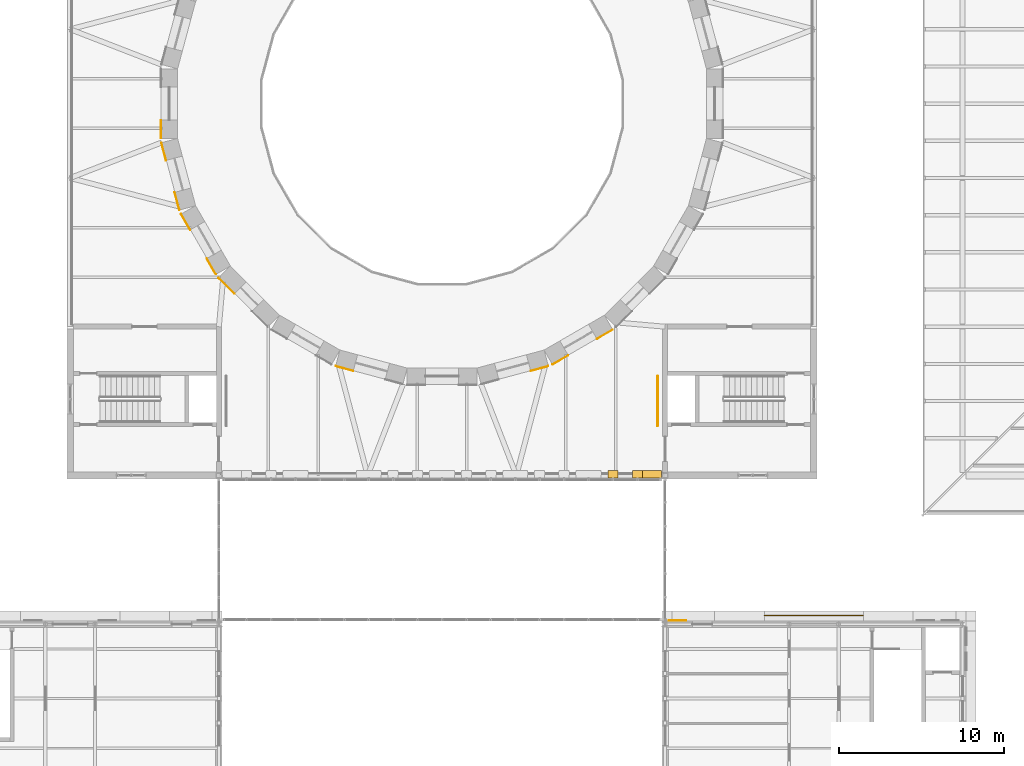
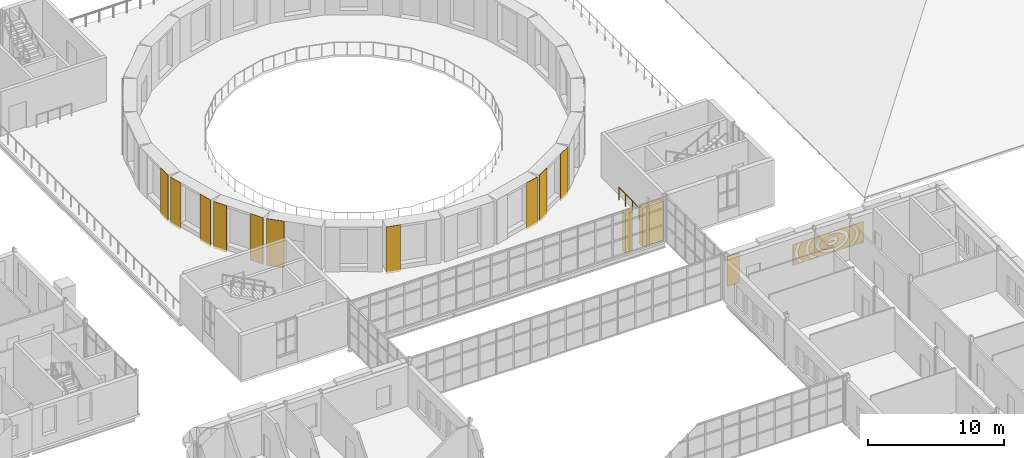
# One storey, part 147 of 154: 15 coverings, 1 railing.
"""IFC4 building model written with IfcOpenShell, lengths in metres."""

import ifcopenshell
import ifcopenshell.guid

model = None  # the IFC model being written
_history = None  # IfcOwnerHistory: only IFC2X3 demands one
_inside = {}  # id of a spatial element -> (the spatial element, [elements in it])
_under = {}  # id of a project, library or spatial element -> (it, [spatial elements below it])
_declared = {}  # id of a project -> (the project, [libraries it declares])
_typed = {}  # id of a type object -> (the type object, [elements of that type])
_made_of = {}  # id of a material, layer set ... -> (it, [elements and type objects made of it])


def new_model(schema):
    """Start an empty IFC model of exactly this schema.

    Asked for "IFC4X3", IfcOpenShell would pick the latest addendum, in which some entities
    have other attributes; the version numbers below select the first issue.
    IFC2X3 requires an IfcOwnerHistory on every rooted entity: one is made here for all.
    """
    global model, _history
    if schema == "IFC4X3":
        model = ifcopenshell.file(schema_version=(4, 3, 0, 0))
    else:
        model = ifcopenshell.file(schema=schema)
    _inside.clear()
    _under.clear()
    _declared.clear()
    _typed.clear()
    _made_of.clear()
    _history = None
    if model.schema == "IFC2X3":
        org = make("IfcOrganization", Name="unknown")
        user = make(
            "IfcPersonAndOrganization",
            ThePerson=make("IfcPerson", FamilyName="unknown"),
            TheOrganization=org,
        )
        app = make(
            "IfcApplication",
            ApplicationDeveloper=org,
            Version="unknown",
            ApplicationFullName="unknown",
            ApplicationIdentifier="unknown",
        )
        _history = make(
            "IfcOwnerHistory",
            OwningUser=user,
            OwningApplication=app,
            ChangeAction="ADDED",
            CreationDate=0,
        )
    return model


def make(cls, **values):
    """One entity of the class cls with the attributes given. An attribute that is None is left unset."""
    return model.create_entity(
        cls, **{name: value for name, value in values.items() if value is not None}
    )


def rooted(cls, **values):
    """An entity with a GlobalId (a new one), such as an element, a storey or a relation."""
    return make(cls, GlobalId=ifcopenshell.guid.new(), OwnerHistory=_history, **values)


def si_unit(unit_type, name, prefix=None):
    """IfcSIUnit, for example si_unit("LENGTHUNIT", "METRE", prefix="MILLI")."""
    return make("IfcSIUnit", UnitType=unit_type, Prefix=prefix, Name=name)


def assignment(units):
    """IfcUnitAssignment: the units of a project."""
    return None if units is None else make("IfcUnitAssignment", Units=units)


def point(xyz):
    """IfcCartesianPoint."""
    return None if xyz is None else make("IfcCartesianPoint", Coordinates=xyz)


def direction(xyz):
    """IfcDirection."""
    return None if xyz is None else make("IfcDirection", DirectionRatios=xyz)


def frame(location, z_axis=None, x_axis=None):
    """IfcAxis2Placement3D, a coordinate frame: its origin and axes. An axis left out is left unset."""
    return make(
        "IfcAxis2Placement3D",
        Location=point(location),
        Axis=direction(z_axis),
        RefDirection=direction(x_axis),
    )


def frame_2d(location, x_axis=None):
    """IfcAxis2Placement2D, a coordinate frame in the plane: its origin and x axis."""
    return make(
        "IfcAxis2Placement2D", Location=point(location), RefDirection=direction(x_axis)
    )


def origin():
    """The frame at (0, 0, 0) with its axes left unset."""
    return frame((0.0, 0.0, 0.0))


def origin_2d():
    """The frame at (0, 0) in the plane with its x axis left unset."""
    return frame_2d((0.0, 0.0))


def place(relative_to, where):
    """IfcLocalPlacement: puts the frame where relative to a parent placement (None: the world)."""
    return make(
        "IfcLocalPlacement", PlacementRelTo=relative_to, RelativePlacement=where
    )


def context(
    kind, dimensions, precision=None, world=None, true_north=None, identifier=None
):
    """IfcGeometricRepresentationContext, for example the 3D "Model" context."""
    return make(
        "IfcGeometricRepresentationContext",
        ContextIdentifier=identifier,
        ContextType=kind,
        CoordinateSpaceDimension=dimensions,
        Precision=precision,
        WorldCoordinateSystem=world,
        TrueNorth=true_north,
    )


def subcontext(parent, identifier, kind, view, scale=None):
    """IfcGeometricRepresentationSubContext, for example "Body" below "Model"."""
    return make(
        "IfcGeometricRepresentationSubContext",
        ContextIdentifier=identifier,
        ContextType=kind,
        ParentContext=parent,
        TargetScale=scale,
        TargetView=view,
    )


def project(units=None, contexts=None):
    """IfcProject with its units and contexts."""
    return rooted(
        "IfcProject",
        Name="project",
        RepresentationContexts=contexts,
        UnitsInContext=assignment(units),
    )


def spatial(cls, under=None, at=None, **own):
    """A site, building, storey or space (cls), placed at a placement, below another one or the project."""
    s = rooted(cls, ObjectPlacement=at, **own)
    if under is not None:
        _under.setdefault(under.id(), (under, []))[1].append(s)
    return s


def polyline(points):
    """IfcPolyline through the points."""
    return make("IfcPolyline", Points=[point(p) for p in points])


def profile(cls, at=None, kind="AREA", **sizes):
    """A parametric profile (cls). Its sizes go by their IFC names, for example OverallWidth=200.0."""
    return make(cls, ProfileType=kind, Position=at, **sizes)


def rectangle(**sizes):
    """IfcRectangleProfileDef."""
    return profile("IfcRectangleProfileDef", **sizes)


def circle(**sizes):
    """IfcCircleProfileDef."""
    return profile("IfcCircleProfileDef", **sizes)


def outline(outer, holes=None, kind="AREA"):
    """IfcArbitraryClosedProfileDef: a profile drawn as a closed curve; with holes, ...WithVoids."""
    if holes is None:
        return make("IfcArbitraryClosedProfileDef", ProfileType=kind, OuterCurve=outer)
    return make(
        "IfcArbitraryProfileDefWithVoids",
        ProfileType=kind,
        OuterCurve=outer,
        InnerCurves=holes,
    )


def extrude(swept, where, along, depth):
    """IfcExtrudedAreaSolid: the profile swept, set in the frame where, extruded along a direction by depth."""
    return make(
        "IfcExtrudedAreaSolid",
        SweptArea=swept,
        Position=where,
        ExtrudedDirection=direction(along),
        Depth=depth,
    )


def shape(context_of_items, identifier, shape_type, items):
    """IfcShapeRepresentation: the items that make up one representation, for example the "Body"."""
    return make(
        "IfcShapeRepresentation",
        ContextOfItems=context_of_items,
        RepresentationIdentifier=identifier,
        RepresentationType=shape_type,
        Items=items,
    )


def material(Name=None, Category=None):
    """IfcMaterial."""
    return make("IfcMaterial", Name=Name, Category=Category)


def layer(
    of_material, thickness, ventilated=None, Name=None, Category=None, Priority=None
):
    """IfcMaterialLayer: one layer of a wall or slab, of a material (None: an air gap)."""
    return make(
        "IfcMaterialLayer",
        Material=of_material,
        LayerThickness=thickness,
        IsVentilated=ventilated,
        Name=Name,
        Category=Category,
        Priority=Priority,
    )


def layer_set(layers, Name=None):
    """IfcMaterialLayerSet."""
    return make("IfcMaterialLayerSet", MaterialLayers=layers, LayerSetName=Name)


def made_of(thing, what):
    """Note that an element or type object is made of a material, layer set ...; save() writes the relation."""
    if what is not None:
        _made_of.setdefault(what.id(), (what, []))[1].append(thing)
    return thing


def type_object(cls, material=None, **own):
    """A type object (cls), such as IfcWallType, which elements share."""
    return made_of(rooted(cls, **own), material)


def element(
    cls,
    number,
    at=None,
    inside=None,
    cuts=None,
    type_object=None,
    material=None,
    context=None,
    identifier="Body",
    shape_type=None,
    held_by="IfcProductDefinitionShape",
    body=None,
    shapes=None,
    **own,
):
    """One element of the class cls, such as IfcWall. Its Tag is "e" and its number.

    at: its placement. inside: the storey or other place that contains it. cuts: it is an
    opening in that element (IfcRelVoidsElement). A single representation is given by context,
    identifier, shape_type and body (its items); several are given by shapes. held_by: the class
    of the entity that holds the representations. save() writes the other relations.
    """
    e = rooted(cls, Tag="e%d" % number, ObjectPlacement=at, **own)
    if body is not None:
        shapes = [shape(context, identifier, shape_type, body)]
    if shapes is not None:
        e.Representation = make(held_by, Representations=shapes)
    if inside is not None:
        _inside.setdefault(inside.id(), (inside, []))[1].append(e)
    if cuts is not None:
        rooted(
            "IfcRelVoidsElement", RelatingBuildingElement=cuts, RelatedOpeningElement=e
        )
    if type_object is not None:
        _typed.setdefault(type_object.id(), (type_object, []))[1].append(e)
    return made_of(e, material)


def aggregate(whole, parts):
    """IfcRelAggregates: a whole, such as a stair, and the parts it consists of."""
    return rooted("IfcRelAggregates", RelatingObject=whole, RelatedObjects=parts)


def save(model, path):
    """Write the relations noted so far, then the file.

    IfcRelAggregates (storeys below a building ...), IfcRelContainedInSpatialStructure (elements
    in a storey), IfcRelDefinesByType, IfcRelAssociatesMaterial and IfcRelDeclares: one each for
    every whole, place, type object, material and project.
    """
    for whole, parts in _under.values():
        aggregate(whole, parts)
    for where, things in _inside.values():
        rooted(
            "IfcRelContainedInSpatialStructure",
            RelatedElements=things,
            RelatingStructure=where,
        )
    for kind, things in _typed.values():
        rooted("IfcRelDefinesByType", RelatedObjects=things, RelatingType=kind)
    for what, things in _made_of.values():
        rooted("IfcRelAssociatesMaterial", RelatedObjects=things, RelatingMaterial=what)
    for by, libraries in _declared.values():
        rooted("IfcRelDeclares", RelatingContext=by, RelatedDefinitions=libraries)
    model.write(path)


model = new_model("IFC4")

# Units and contexts
model_context = context("Model", 3, precision=1e-05, world=origin(), true_north=direction((0.0, 1.0)))
body_context = subcontext(model_context, "Body", "Model", "MODEL_VIEW")
ifc_project = project(units=[si_unit("LENGTHUNIT", "METRE"), si_unit("AREAUNIT", "SQUARE_METRE"), si_unit("VOLUMEUNIT", "CUBIC_METRE"), si_unit("PLANEANGLEUNIT", "RADIAN"), si_unit("MASSUNIT", "GRAM", prefix="KILO")], contexts=[model_context])

# Site, building, storey
site_placement = place(None, origin())
site = spatial("IfcSite", under=ifc_project, at=site_placement, CompositionType="ELEMENT")
building_placement = place(site_placement, origin())
building = spatial("IfcBuilding", under=site, at=building_placement, Name="Golden Quay Civic Hall", CompositionType="ELEMENT")
storey_placement = place(building_placement, frame((0.0, 0.0, 14.39990234375)))
storey = spatial("IfcBuildingStorey", under=building, at=storey_placement, Name="L03", CompositionType="ELEMENT", Elevation=14.39990234375)

# Coverings
ifc_material_1 = material(Name="Ceramic tile")
ifc_layer_1 = layer(ifc_material_1, 0.030029296875)
ifc_layer_set_1 = layer_set([ifc_layer_1], Name="Ceramic tile cladding, green glaze")
covering_type_1 = type_object("IfcCoveringType", Name="Ceramic tile cladding, green glaze", PredefinedType="CLADDING", material=ifc_layer_set_1)
for number, where, z_axis, x_axis, name in (
    (1, (68.485107421875, 83.94677734375, -0.19970703125), (0.0, 0.0, 1.0), (0.0, -1.0, 0.0), "Drum cladding 12.2"),
    (2, (68.662841796875, 82.596435546875, -0.19970703125), (0.0, 0.0, 1.0), (0.258819045103, -0.965925826289, 0.0), "Drum cladding 13.1"),
    (3, (69.466796875, 79.595947265625, -0.19970703125), (0.0, 0.0, 1.0), (0.258819045103, -0.965925826289, 0.0), "Drum cladding 13.2"),
    (4, (69.988037109375, 78.337646484375, -0.19970703125), (0.0, 0.0, 1.0), (0.5, -0.866025403784, 0.0), "Drum cladding 14.1"),
    (5, (71.541259765625, 75.6474609375, -0.19970703125), (0.0, 0.0, 1.0), (0.5, -0.866025403784, 0.0), "Drum cladding 14.2"),
):
    element("IfcCovering", number, at=place(storey_placement, frame(where, z_axis=z_axis, x_axis=x_axis)), inside=storey, type_object=covering_type_1, Name=name, PredefinedType="CLADDING", context=body_context, shape_type="SweptSolid", body=[
        extrude(rectangle(XDim=1.1064453125, YDim=0.030029296875, at=origin_2d()), origin(), (0.0, 0.0, 1.0), 4.199951171875),
    ])
covering_1_placement = place(storey_placement, frame((72.458740234375, 74.478515625, -0.19970703125), z_axis=(0.0, 0.0, 1.0), x_axis=(0.707106781187, -0.707106781187, 0.0)))
element("IfcCovering", 6, at=covering_1_placement, inside=storey, type_object=covering_type_1, Name="Drum cladding 15.1", PredefinedType="CLADDING", context=body_context, shape_type="SweptSolid", body=[
    extrude(rectangle(XDim=1.3564453125, YDim=0.030029296875, at=origin_2d()), origin(), (0.0, 0.0, 1.0), 4.199951171875),
])
for number, where, z_axis, x_axis, name in (
    (7, (79.595947265625, 69.466796875, -0.19970703125), (0.0, 0.0, 1.0), (0.965925826289, -0.258819045103, 0.0), "Drum cladding 17.1"),
    (8, (91.404052734375, 69.466796875, -0.19970703125), (0.0, 0.0, 1.0), (0.965925826289, 0.258819045103, 0.0), "Drum cladding 19.2"),
    (9, (92.662353515625, 69.988037109375, -0.19970703125), (0.0, 0.0, 1.0), (0.866025403784, 0.5, 0.0), "Drum cladding 20.1"),
    (10, (95.3525390625, 71.541259765625, -0.19970703125), (0.0, 0.0, 1.0), (0.866025403784, 0.5, 0.0), "Drum cladding 20.2"),
):
    element("IfcCovering", number, at=place(storey_placement, frame(where, z_axis=z_axis, x_axis=x_axis)), inside=storey, type_object=covering_type_1, Name=name, PredefinedType="CLADDING", context=body_context, shape_type="SweptSolid", body=[
        extrude(rectangle(XDim=1.1064453125, YDim=0.030029296875, at=origin_2d()), origin(), (0.0, 0.0, 1.0), 4.199951171875),
    ])
ifc_material_2 = material(Name="Aluminium, golden anodised, perforated", Category="aluminium")
ifc_layer_2 = layer(ifc_material_2, 0.0400390625)
ifc_layer_set_2 = layer_set([ifc_layer_2], Name="Perforated screen panel 6000 x 1880 x 40")
covering_type_2 = type_object("IfcCoveringType", Name="Perforated screen panel 6000 x 1880 x 40", PredefinedType="CLADDING", material=ifc_layer_set_2)
covering_2_placement = place(storey_placement, frame((108.0, 54.5, 1.5400390625), z_axis=(0.0, 1.0, 0.0), x_axis=(-1.0, 0.0, 0.0)))
element("IfcCovering", 11, at=covering_2_placement, inside=storey, type_object=covering_type_2, Name="Perforated screen panel 6000 x 1880 x 40 L03 3", PredefinedType="CLADDING", context=body_context, shape_type="SweptSolid", body=[
    extrude(outline(polyline([(-3.0, -0.93994140625), (3.0, -0.93994140625), (3.0, 0.93994140625), (-3.0, 0.93994140625), (-3.0, -0.93994140625)]), holes=[polyline([(-0.148681640625, 0.11083984375), (-0.189208984375, 0.136962890625), (-0.24951171875, 0.158447265625), (-0.32177734375, 0.169677734375), (-0.37255859375, 0.169921875), (-0.422119140625, 0.164306640625), (-0.48828125, 0.146484375), (-0.53759765625, 0.12158203125), (-0.55810546875, 0.1044921875), (-0.571533203125, 0.08642578125), (-0.571044921875, 0.07275390625), (-0.556396484375, 0.053466796875), (-0.534423828125, 0.036376953125), (-0.502685546875, 0.019287109375), (-0.462646484375, 0.0048828125), (-0.41650390625, -0.00537109375), (-0.34130859375, -0.010498046875), (-0.26708984375, -0.00244140625), (-0.202880859375, 0.016845703125), (-0.169921875, 0.03369140625), (-0.146484375, 0.051025390625), (-0.133056640625, 0.06591796875), (-0.124267578125, 0.08349609375), (0.106201171875, -0.02099609375), (0.077880859375, -0.073974609375), (0.04541015625, -0.114990234375), (-0.001220703125, -0.156982421875), (-0.04150390625, -0.184326171875), (-0.100830078125, -0.214599609375), (-0.1748046875, -0.240234375), (-0.220947265625, -0.251220703125), (-0.2998046875, -0.26171875), (-0.37255859375, -0.262939453125), (-0.412353515625, -0.260498046875), (-0.49853515625, -0.2470703125), (-0.56591796875, -0.2275390625), (-0.6015625, -0.21337890625), (-0.668212890625, -0.17822265625), (-0.7080078125, -0.149658203125), (-0.736328125, -0.1240234375), (-0.761962890625, -0.095703125), (-0.7841796875, -0.064208984375), (-0.802490234375, -0.02978515625), (-0.81591796875, 0.007080078125), (-0.825927734375, 0.06591796875), (-0.822509765625, 0.123779296875), (-0.813232421875, 0.16162109375), (-0.799072265625, 0.197021484375), (-0.780517578125, 0.229736328125), (-0.758544921875, 0.260009765625), (-0.70556640625, 0.3115234375), (-0.6435546875, 0.352783203125), (-0.574462890625, 0.384521484375), (-0.5, 0.40673828125), (-0.461181640625, 0.414306640625), (-0.389404296875, 0.42236328125), (-0.30908203125, 0.422119140625), (-0.261962890625, 0.417724609375), (-0.183837890625, 0.402587890625), (-0.11767578125, 0.38134765625), (-0.073974609375, 0.362060546875), (-0.017578125, 0.328857421875), (0.021240234375, 0.29833984375), (0.063720703125, 0.25341796875), (-0.12939453125, 0.090087890625), (-0.148681640625, 0.11083984375)]), polyline([(-0.28271484375, 0.727294921875), (-0.37158203125, 0.728515625), (-0.460205078125, 0.725341796875), (-0.54833984375, 0.718017578125), (-0.63525390625, 0.70654296875), (-0.72021484375, 0.69140625), (-0.802734375, 0.672119140625), (-0.88232421875, 0.64892578125), (-0.95849609375, 0.62255859375), (-1.030517578125, 0.592529296875), (-1.098388671875, 0.559814453125), (-1.1611328125, 0.524169921875), (-1.21875, 0.486083984375), (-1.27099609375, 0.4462890625), (-1.317138671875, 0.404541015625), (-1.357421875, 0.36181640625), (-1.391357421875, 0.318115234375), (-1.419189453125, 0.274169921875), (-1.441162109375, 0.230224609375), (-1.457275390625, 0.186279296875), (-1.4677734375, 0.142578125), (-1.472900390625, 0.09912109375), (-1.472412109375, 0.0556640625), (-1.466796875, 0.01220703125), (-1.455810546875, -0.031494140625), (-1.43896484375, -0.075439453125), (-1.416259765625, -0.119384765625), (-1.3876953125, -0.163330078125), (-1.352783203125, -0.206787109375), (-1.31201171875, -0.24951171875), (-1.264892578125, -0.291015625), (-1.21240234375, -0.330810546875), (-1.154052734375, -0.368408203125), (-1.090576171875, -0.40380859375), (-1.022216796875, -0.436279296875), (-0.94970703125, -0.4658203125), (-0.873046875, -0.491943359375), (-0.793212890625, -0.514404296875), (-0.710205078125, -0.533203125), (-0.625, -0.548095703125), (-0.5380859375, -0.55908203125), (-0.449951171875, -0.56591796875), (-0.361083984375, -0.568603515625), (-0.272216796875, -0.56689453125), (-0.18359375, -0.561279296875), (-0.096435546875, -0.55126953125), (-0.0107421875, -0.537353515625), (0.07275390625, -0.51953125), (0.153564453125, -0.497802734375), (0.23095703125, -0.47265625), (0.3046875, -0.44384765625), (0.3740234375, -0.412109375), (0.438720703125, -0.37744140625), (0.498291015625, -0.34033203125), (0.552490234375, -0.301025390625), (0.600830078125, -0.260009765625), (0.643310546875, -0.217529296875), (0.6796875, -0.17431640625), (0.709716796875, -0.13037109375), (0.73388671875, -0.086181640625), (0.752197265625, -0.042236328125), (0.7646484375, 0.00146484375), (0.771484375, 0.044921875), (0.773193359375, 0.08837890625), (0.76953125, 0.1318359375), (0.760498046875, 0.17529296875), (0.745849609375, 0.21923828125), (0.725341796875, 0.26318359375), (0.698974609375, 0.307373046875), (0.666259765625, 0.35107421875), (0.627685546875, 0.39404296875), (0.5830078125, 0.43603515625), (0.528564453125, 0.4794921875), (0.6865234375, 0.677001953125), (0.74462890625, 0.630615234375), (0.8046875, 0.57470703125), (0.8583984375, 0.515625), (0.905517578125, 0.453369140625), (0.945556640625, 0.3876953125), (0.97802734375, 0.3193359375), (1.002685546875, 0.24853515625), (1.018798828125, 0.17578125), (1.02587890625, 0.10205078125), (1.02392578125, 0.027587890625), (1.01318359375, -0.046142578125), (0.993408203125, -0.11865234375), (0.96484375, -0.189208984375), (0.928466796875, -0.25732421875), (0.884521484375, -0.322509765625), (0.83349609375, -0.38427734375), (0.768310546875, -0.449462890625), (0.704833984375, -0.5029296875), (0.643310546875, -0.547607421875), (0.561767578125, -0.598388671875), (0.48291015625, -0.640380859375), (0.399658203125, -0.67822265625), (0.312744140625, -0.7119140625), (0.228759765625, -0.7392578125), (0.12890625, -0.76611328125), (0.032958984375, -0.78662109375), (-0.06494140625, -0.80224609375), (-0.164306640625, -0.813232421875), (-0.2646484375, -0.819580078125), (-0.359619140625, -0.8212890625), (-0.460205078125, -0.818603515625), (-0.560546875, -0.81103515625), (-0.659423828125, -0.798828125), (-0.76318359375, -0.780517578125), (-0.852294921875, -0.760498046875), (-0.945068359375, -0.734375), (-1.03466796875, -0.7041015625), (-1.12060546875, -0.669189453125), (-1.202880859375, -0.63037109375), (-1.280517578125, -0.58740234375), (-1.361083984375, -0.535400390625), (-1.421142578125, -0.489990234375), (-1.4833984375, -0.435546875), (-1.546875, -0.369140625), (-1.59619140625, -0.306640625), (-1.63818359375, -0.24072265625), (-1.6669921875, -0.184814453125), (-1.694580078125, -0.11474609375), (-1.7138671875, -0.042724609375), (-1.724365234375, 0.03076171875), (-1.724853515625, 0.12060546875), (-1.715576171875, 0.194091796875), (-1.70166015625, 0.252197265625), (-1.67626953125, 0.32373046875), (-1.642822265625, 0.392822265625), (-1.6015625, 0.458984375), (-1.552978515625, 0.52197265625), (-1.497802734375, 0.58154296875), (-1.436279296875, 0.637451171875), (-1.36181640625, 0.69482421875), (-1.28955078125, 0.7421875), (-1.219482421875, 0.78173828125), (-1.130615234375, 0.824951171875), (-1.0517578125, 0.857666015625), (-0.98779296875, 0.8798828125), (-0.085693359375, 0.8798828125), (-0.103515625, 0.71240234375), (-0.194091796875, 0.72216796875), (-0.28271484375, 0.727294921875)]), polyline([(-1.856689453125, 0.8798828125), (-1.965087890625, 0.802001953125), (-2.039794921875, 0.73876953125), (-2.107177734375, 0.673095703125), (-2.167236328125, 0.605712890625), (-2.219482421875, 0.536865234375), (-2.26416015625, 0.466552734375), (-2.30126953125, 0.395751953125), (-2.330322265625, 0.32421875), (-2.35205078125, 0.252197265625), (-2.3662109375, 0.180419921875), (-2.372802734375, 0.108154296875), (-2.3720703125, 0.0361328125), (-2.36376953125, -0.035888671875), (-2.347900390625, -0.10791015625), (-2.32470703125, -0.1796875), (-2.293701171875, -0.251220703125), (-2.255126953125, -0.322021484375), (-2.208740234375, -0.391845703125), (-2.15478515625, -0.46044921875), (-2.093017578125, -0.527587890625), (-2.024169921875, -0.5927734375), (-1.947998046875, -0.655517578125), (-1.86474609375, -0.715576171875), (-1.77490234375, -0.7724609375), (-1.67919921875, -0.825927734375), (-1.568115234375, -0.8798828125), (-2.06884765625, -0.8798828125), (-2.09912109375, -0.858154296875), (-2.18798828125, -0.78515625), (-2.2763671875, -0.701904296875), (-2.34423828125, -0.628173828125), (-2.41064453125, -0.544189453125), (-2.468994140625, -0.457275390625), (-2.5185546875, -0.3671875), (-2.55908203125, -0.27490234375), (-2.590576171875, -0.18017578125), (-2.6123046875, -0.083740234375), (-2.6240234375, 0.013916015625), (-2.625732421875, 0.11181640625), (-2.617431640625, 0.2099609375), (-2.59619140625, 0.3193359375), (-2.56689453125, 0.414306640625), (-2.5283203125, 0.50732421875), (-2.48046875, 0.597900390625), (-2.424072265625, 0.685546875), (-2.365478515625, 0.7626953125), (-2.293212890625, 0.8447265625), (-2.257080078125, 0.8798828125), (-1.856689453125, 0.8798828125)]), polyline([(0.867919921875, -0.8798828125), (0.981689453125, -0.82470703125), (1.077392578125, -0.77099609375), (1.1669921875, -0.714111328125), (1.25, -0.65380859375), (1.325927734375, -0.591064453125), (1.394775390625, -0.52587890625), (1.456298828125, -0.458740234375), (1.510009765625, -0.39013671875), (1.55615234375, -0.3203125), (1.5947265625, -0.24951171875), (1.62548828125, -0.177978515625), (1.6484375, -0.106201171875), (1.6640625, -0.0341796875), (1.672119140625, 0.037841796875), (1.672607421875, 0.110107421875), (1.666015625, 0.18212890625), (1.651611328125, 0.254150390625), (1.6298828125, 0.325927734375), (1.600341796875, 0.3974609375), (1.563232421875, 0.468505859375), (1.518310546875, 0.53857421875), (1.4658203125, 0.607421875), (1.405517578125, 0.6748046875), (1.337890625, 0.740234375), (1.26318359375, 0.803466796875), (1.156982421875, 0.8798828125), (1.557373046875, 0.8798828125), (1.59130859375, 0.8466796875), (1.663818359375, 0.7646484375), (1.72265625, 0.687744140625), (1.779296875, 0.60009765625), (1.83203125, 0.499267578125), (1.865966796875, 0.416748046875), (1.8955078125, 0.321533203125), (1.9169921875, 0.21240234375), (1.925048828125, 0.127197265625), (1.925048828125, 0.029296875), (1.91259765625, -0.081298828125), (1.89111328125, -0.177734375), (1.860107421875, -0.2724609375), (1.819580078125, -0.364990234375), (1.770263671875, -0.455078125), (1.71240234375, -0.5419921875), (1.652099609375, -0.61865234375), (1.578125, -0.7001953125), (1.49658203125, -0.777587890625), (1.40771484375, -0.851318359375), (1.368896484375, -0.8798828125), (0.867919921875, -0.8798828125)]), polyline([(-2.93994140625, -0.732177734375), (-2.83642578125, -0.843017578125), (-2.79638671875, -0.8798828125), (-2.93994140625, -0.8798828125), (-2.93994140625, -0.732177734375)]), polyline([(2.178955078125, -0.80029296875), (2.255615234375, -0.71533203125), (2.323974609375, -0.62841796875), (2.38427734375, -0.5400390625), (2.436279296875, -0.4501953125), (2.47998046875, -0.359375), (2.51513671875, -0.267578125), (2.5419921875, -0.17529296875), (2.560791015625, -0.082763671875), (2.571044921875, 0.010009765625), (2.5732421875, 0.10302734375), (2.56689453125, 0.196044921875), (2.552490234375, 0.288818359375), (2.52978515625, 0.381103515625), (2.498779296875, 0.47314453125), (2.459228515625, 0.564453125), (2.41162109375, 0.65478515625), (2.35546875, 0.744140625), (2.291015625, 0.831787109375), (2.25048828125, 0.8798828125), (2.568603515625, 0.8798828125), (2.6328125, 0.77734375), (2.685302734375, 0.67822265625), (2.73291015625, 0.568603515625), (2.774169921875, 0.447021484375), (2.801513671875, 0.3330078125), (2.819091796875, 0.218505859375), (2.826171875, 0.10302734375), (2.822998046875, -0.01220703125), (2.809814453125, -0.127197265625), (2.7890625, -0.23046875), (2.753173828125, -0.353515625), (2.710205078125, -0.464111328125), (2.662109375, -0.56396484375), (2.595947265625, -0.678466796875), (2.525390625, -0.781494140625), (2.447509765625, -0.8798828125), (2.097412109375, -0.8798828125), (2.178955078125, -0.80029296875)])]), origin(), (0.0, 0.0, 1.0), 0.0400390625),
])

# Railing
ifc_material_3 = material(Name="Steel S355", Category="steel")
railing_type = type_object("IfcRailingType", Name="Steel guard 1100 terrace", PredefinedType="GUARDRAIL", material=ifc_material_3)
railing_placement = place(storey_placement, frame((98.550048828125, 66.0, 0.0)))
element("IfcRailing", 12, at=railing_placement, inside=storey, type_object=railing_type, Name="Pocket guard SE", PredefinedType="GUARDRAIL", context=body_context, shape_type="SweptSolid", body=[
    extrude(circle(Radius=0.02392578125, at=origin_2d()), frame((0.0, 0.0, 1.076171875), z_axis=(0.0, 1.0, 0.0), x_axis=(-1.0, 0.0, 0.0)), (0.0, 0.0, 1.0), 3.0),
    extrude(circle(Radius=0.02099609375, at=origin_2d()), origin(), (0.0, 0.0, 1.0), 1.052001953125),
    extrude(circle(Radius=0.02099609375, at=origin_2d()), frame((0.0, 1.0, 0.0)), (0.0, 0.0, 1.0), 1.052001953125),
    extrude(circle(Radius=0.02099609375, at=origin_2d()), frame((0.0, 2.0, 0.0)), (0.0, 0.0, 1.0), 1.052001953125),
    extrude(circle(Radius=0.02099609375, at=origin_2d()), frame((0.0, 3.0, 0.0)), (0.0, 0.0, 1.0), 1.052001953125),
])

# Coverings
ifc_material_4 = material(Name="Terracotta cladding, golden glaze", Category="masonry")
covering_type_3 = type_object("IfcCoveringType", Name="Terracotta hall screen minor pier 600 x 450", PredefinedType="CLADDING", material=ifc_material_4)
covering_3_placement = place(storey_placement, origin())
element("IfcCovering", 13, at=covering_3_placement, inside=storey, type_object=covering_type_3, Name="Hall screen minor pier north L03 16", PredefinedType="CLADDING", context=body_context, shape_type="SweptSolid", body=[
    extrude(outline(polyline([(95.5439453125, 63.300048828125), (96.14404296875, 63.300048828125), (96.14404296875, 62.85009765625), (95.5439453125, 62.85009765625), (95.5439453125, 63.300048828125)])), origin(), (0.0, 0.0, 1.0), 3.5),
])
covering_4_placement = place(storey_placement, origin())
element("IfcCovering", 14, at=covering_4_placement, inside=storey, type_object=covering_type_3, Name="Hall screen minor pier north L03 17", PredefinedType="CLADDING", context=body_context, shape_type="SweptSolid", body=[
    extrude(outline(polyline([(97.02197265625, 63.300048828125), (97.6220703125, 63.300048828125), (97.6220703125, 62.85009765625), (97.02197265625, 62.85009765625), (97.02197265625, 63.300048828125)])), origin(), (0.0, 0.0, 1.0), 3.5),
])
ifc_material_5 = material(Name="Terracotta cladding, golden glaze", Category="masonry")
covering_type_4 = type_object("IfcCoveringType", Name="Terracotta hall screen pier 1500 x 450", PredefinedType="CLADDING", material=ifc_material_5)
covering_5_placement = place(storey_placement, origin())
element("IfcCovering", 15, at=covering_5_placement, inside=storey, type_object=covering_type_4, Name="Hall screen pier north L03 18", PredefinedType="CLADDING", context=body_context, shape_type="SweptSolid", body=[
    extrude(outline(polyline([(97.280029296875, 63.300048828125), (98.780029296875, 63.300048828125), (98.780029296875, 62.85009765625), (97.280029296875, 62.85009765625), (97.280029296875, 63.300048828125)])), origin(), (0.0, 0.0, 1.0), 3.5),
])
ifc_material_6 = material(Name="Terracotta cladding, golden glaze", Category="masonry")
ifc_layer_3 = layer(ifc_material_6, 0.050048828125)
ifc_layer_set_3 = layer_set([ifc_layer_3], Name="Terracotta solid panel 1050 x 2700 x 50")
covering_type_5 = type_object("IfcCoveringType", Name="Terracotta solid panel 1050 x 2700 x 50", PredefinedType="CLADDING", material=ifc_layer_set_3)
covering_6_placement = place(storey_placement, frame((0.0, 0.0, 0.900146484375)))
element("IfcCovering", 16, at=covering_6_placement, inside=storey, type_object=covering_type_5, Name="Terracotta solid panel 1050 x 2700 x 50 L03 23", PredefinedType="CLADDING", context=body_context, shape_type="SweptSolid", body=[
    extrude(outline(polyline([(99.22509765625, 54.199951171875), (100.27490234375, 54.199951171875), (100.27490234375, 54.25), (99.22509765625, 54.25), (99.22509765625, 54.199951171875)])), origin(), (0.0, 0.0, 1.0), 2.699951171875),
])

save(model, "model.ifc")
